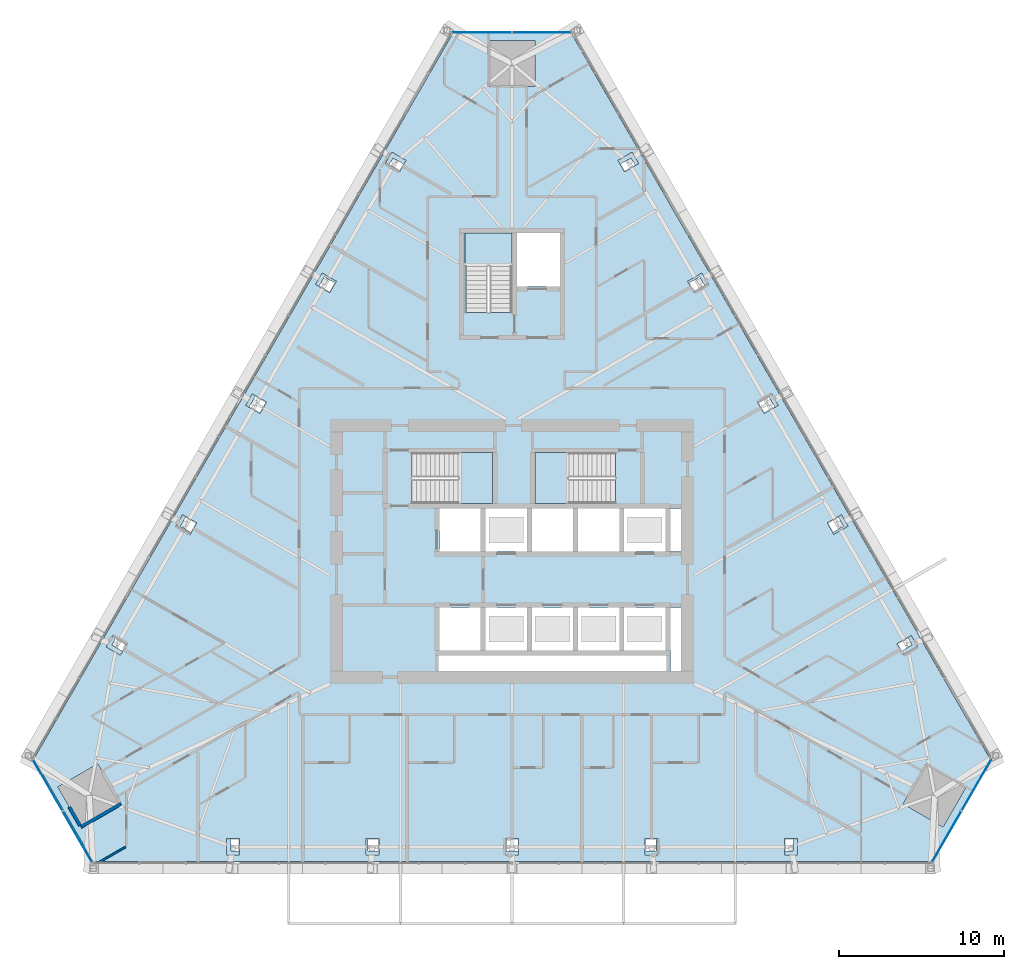
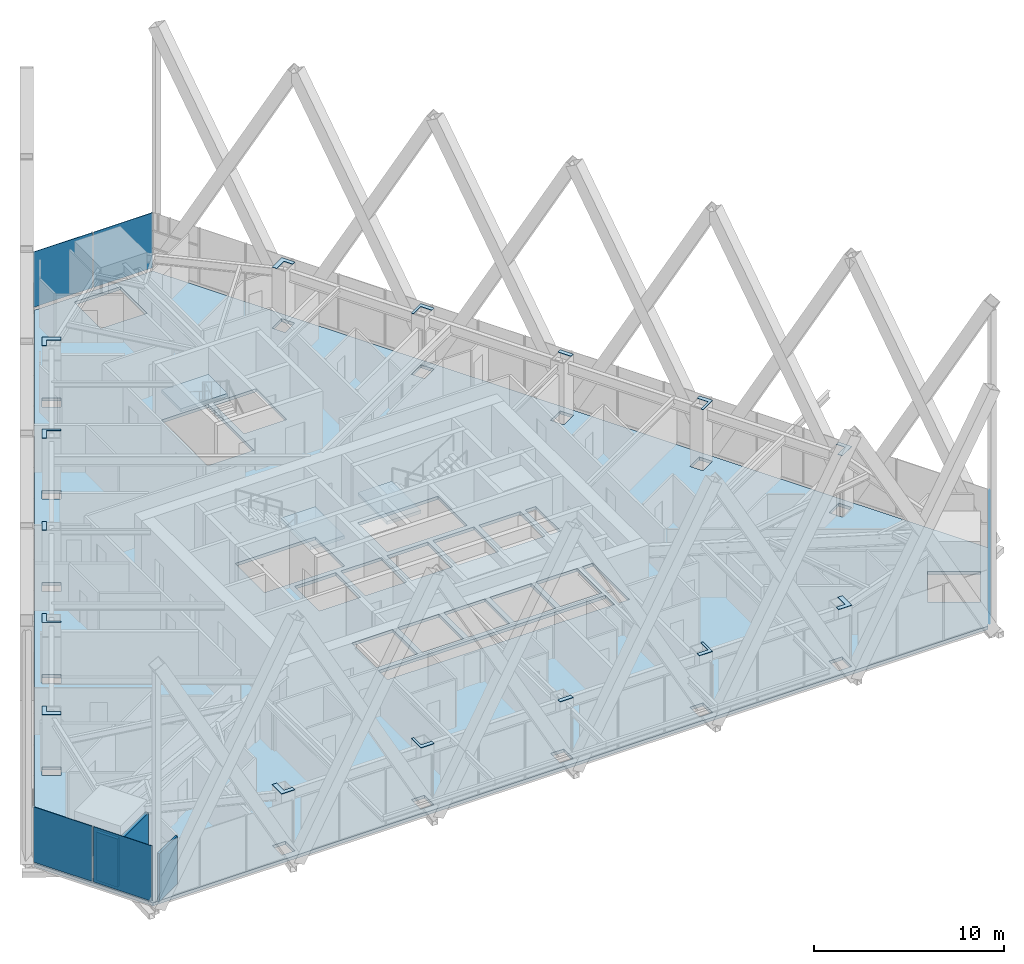
# One storey, part 11 of 19: 21 plates, 4 slabs, 3 walls, 6 elements without a shape of their own.
"""IFC4 building model written with IfcOpenShell, lengths in metres."""

from ifc_helpers import new_model, si_unit, direction, frame, frame_2d, origin, place, context, subcontext, project, spatial, polyline, rectangle, outline, extrude, material, layer, layer_set, type_object, element, aggregate, save


model = new_model("IFC4")

# Units and contexts
model_context = context("Model", 3, precision=1e-05, world=origin(), true_north=direction((0.0, 1.0)))
body_context = subcontext(model_context, "Body", "Model", "MODEL_VIEW")
ifc_project = project(units=[si_unit("LENGTHUNIT", "METRE"), si_unit("AREAUNIT", "SQUARE_METRE"), si_unit("VOLUMEUNIT", "CUBIC_METRE"), si_unit("PLANEANGLEUNIT", "RADIAN"), si_unit("MASSUNIT", "GRAM", prefix="KILO")], contexts=[model_context])

# Site, building, storey
site_placement = place(None, origin())
site = spatial("IfcSite", under=ifc_project, at=site_placement, CompositionType="ELEMENT")
building_placement = place(site_placement, origin())
building = spatial("IfcBuilding", under=site, at=building_placement, Name="Firuza Gate Tower and Library", CompositionType="ELEMENT")
storey_placement = place(building_placement, frame((0.0, 0.0, 218.199951171875)))
storey = spatial("IfcBuildingStorey", under=building, at=storey_placement, Name="L51", CompositionType="ELEMENT", Elevation=218.199951171875)

# Plates
ifc_material_1 = material(Name="Steel S355", Category="steel")
ifc_layer_1 = layer(ifc_material_1, 0.030029296875)
ifc_layer_set_1 = layer_set([ifc_layer_1], Name="Column infill plate 30 Steel S355")
plate_type_1 = type_object("IfcPlateType", Name="Column infill plate 30 Steel S355", PredefinedType="SHEET", material=ifc_layer_set_1)
placement_1 = place(storey_placement, frame((0.0, 0.0, 3.900146484375)))
element("IfcPlate", 1, at=placement_1, inside=storey, type_object=plate_type_1, Name="Infill plate L51:S1", PredefinedType="SHEET", context=body_context, shape_type="SweptSolid", body=[
    extrude(outline(polyline([(58.48876953125, 56.597412109375), (58.48876953125, 56.836669921875), (57.96484375, 56.836669921875), (57.96484375, 57.597412109375), (57.688720703125, 57.597412109375), (57.688720703125, 56.597412109375), (58.48876953125, 56.597412109375)])), origin(), (0.0, 0.0, 1.0), 0.02978515625),
])
element("IfcPlate", 2, at=placement_1, inside=storey, type_object=plate_type_1, Name="Infill plate L51:S2", PredefinedType="SHEET", context=body_context, shape_type="SweptSolid", body=[
    extrude(outline(polyline([(66.9443359375, 56.597412109375), (66.9443359375, 56.836669921875), (66.282470703125, 56.836669921875), (66.282470703125, 57.597412109375), (66.144287109375, 57.597412109375), (66.144287109375, 56.597412109375), (66.9443359375, 56.597412109375)])), origin(), (0.0, 0.0, 1.0), 0.02978515625),
])
element("IfcPlate", 3, at=placement_1, inside=storey, type_object=plate_type_1, Name="Infill plate L51:S3", PredefinedType="SHEET", context=body_context, shape_type="SweptSolid", body=[
    extrude(outline(polyline([(75.39990234375, 56.597412109375), (75.39990234375, 56.836669921875), (74.60009765625, 56.836669921875), (74.60009765625, 56.597412109375), (75.39990234375, 56.597412109375)])), origin(), (0.0, 0.0, 1.0), 0.02978515625),
])
element("IfcPlate", 4, at=placement_1, inside=storey, type_object=plate_type_1, Name="Infill plate L51:S4", PredefinedType="SHEET", context=body_context, shape_type="SweptSolid", body=[
    extrude(outline(polyline([(83.855712890625, 57.597412109375), (83.717529296875, 57.597412109375), (83.717529296875, 56.836669921875), (83.0556640625, 56.836669921875), (83.0556640625, 56.597412109375), (83.855712890625, 56.597412109375), (83.855712890625, 57.597412109375)])), origin(), (0.0, 0.0, 1.0), 0.02978515625),
])
element("IfcPlate", 5, at=placement_1, inside=storey, type_object=plate_type_1, Name="Infill plate L51:S5", PredefinedType="SHEET", context=body_context, shape_type="SweptSolid", body=[
    extrude(outline(polyline([(92.311279296875, 57.597412109375), (92.03515625, 57.597412109375), (92.03515625, 56.836669921875), (91.51123046875, 56.836669921875), (91.51123046875, 56.597412109375), (92.311279296875, 56.597412109375), (92.311279296875, 57.597412109375)])), origin(), (0.0, 0.0, 1.0), 0.02978515625),
])
element("IfcPlate", 6, at=placement_1, inside=storey, type_object=plate_type_1, Name="Infill plate L51:E1", PredefinedType="SHEET", context=body_context, shape_type="SweptSolid", body=[
    extrude(outline(polyline([(99.19287109375, 69.902099609375), (98.985595703125, 69.782470703125), (99.24755859375, 69.328857421875), (98.588623046875, 68.948486328125), (98.726806640625, 68.709228515625), (99.5927734375, 69.209228515625), (99.19287109375, 69.902099609375)])), origin(), (0.0, 0.0, 1.0), 0.02978515625),
])
element("IfcPlate", 7, at=placement_1, inside=storey, type_object=plate_type_1, Name="Infill plate L51:E2", PredefinedType="SHEET", context=body_context, shape_type="SweptSolid", body=[
    extrude(outline(polyline([(94.96484375, 77.224853515625), (94.7578125, 77.105224609375), (95.0888671875, 76.531982421875), (94.429931640625, 76.151611328125), (94.498779296875, 76.031982421875), (95.364990234375, 76.531982421875), (94.96484375, 77.224853515625)])), origin(), (0.0, 0.0, 1.0), 0.02978515625),
])
element("IfcPlate", 8, at=placement_1, inside=storey, type_object=plate_type_1, Name="Infill plate L51:E3", PredefinedType="SHEET", context=body_context, shape_type="SweptSolid", body=[
    extrude(outline(polyline([(89.87109375, 84.047607421875), (89.87109375, 84.047607421875), (90.530029296875, 84.42822265625), (90.929931640625, 83.7353515625), (91.13720703125, 83.85498046875), (90.737060546875, 84.547607421875), (89.87109375, 84.047607421875)])), origin(), (0.0, 0.0, 1.0), 0.02978515625),
])
element("IfcPlate", 9, at=placement_1, inside=storey, type_object=plate_type_1, Name="Infill plate L51:E4", PredefinedType="SHEET", context=body_context, shape_type="SweptSolid", body=[
    extrude(outline(polyline([(85.643310546875, 91.37060546875), (85.712158203125, 91.2509765625), (86.37109375, 91.63134765625), (86.7021484375, 91.05810546875), (86.9091796875, 91.177734375), (86.50927734375, 91.87060546875), (85.643310546875, 91.37060546875)])), origin(), (0.0, 0.0, 1.0), 0.02978515625),
])
element("IfcPlate", 10, at=placement_1, inside=storey, type_object=plate_type_1, Name="Infill plate L51:E5", PredefinedType="SHEET", context=body_context, shape_type="SweptSolid", body=[
    extrude(outline(polyline([(81.415283203125, 98.693359375), (81.553466796875, 98.4541015625), (82.21240234375, 98.834716796875), (82.474365234375, 98.380859375), (82.681396484375, 98.50048828125), (82.281494140625, 99.193359375), (81.415283203125, 98.693359375)])), origin(), (0.0, 0.0, 1.0), 0.02978515625),
])
element("IfcPlate", 11, at=placement_1, inside=storey, type_object=plate_type_1, Name="Infill plate L51:W1", PredefinedType="SHEET", context=body_context, shape_type="SweptSolid", body=[
    extrude(outline(polyline([(67.318603515625, 98.50048828125), (67.525634765625, 98.380859375), (67.78759765625, 98.834716796875), (68.446533203125, 98.4541015625), (68.584716796875, 98.693359375), (67.718505859375, 99.193359375), (67.318603515625, 98.50048828125)])), origin(), (0.0, 0.0, 1.0), 0.02978515625),
])
element("IfcPlate", 12, at=placement_1, inside=storey, type_object=plate_type_1, Name="Infill plate L51:W2", PredefinedType="SHEET", context=body_context, shape_type="SweptSolid", body=[
    extrude(outline(polyline([(63.0908203125, 91.177734375), (63.2978515625, 91.05810546875), (63.62890625, 91.63134765625), (64.287841796875, 91.2509765625), (64.356689453125, 91.37060546875), (63.49072265625, 91.87060546875), (63.0908203125, 91.177734375)])), origin(), (0.0, 0.0, 1.0), 0.02978515625),
])
element("IfcPlate", 13, at=placement_1, inside=storey, type_object=plate_type_1, Name="Infill plate L51:W3", PredefinedType="SHEET", context=body_context, shape_type="SweptSolid", body=[
    extrude(outline(polyline([(58.86279296875, 83.85498046875), (59.070068359375, 83.7353515625), (59.469970703125, 84.42822265625), (60.12890625, 84.047607421875), (60.12890625, 84.047607421875), (59.262939453125, 84.547607421875), (58.86279296875, 83.85498046875)])), origin(), (0.0, 0.0, 1.0), 0.02978515625),
])
element("IfcPlate", 14, at=placement_1, inside=storey, type_object=plate_type_1, Name="Infill plate L51:W4", PredefinedType="SHEET", context=body_context, shape_type="SweptSolid", body=[
    extrude(outline(polyline([(55.501220703125, 76.031982421875), (55.570068359375, 76.151611328125), (54.9111328125, 76.531982421875), (55.2421875, 77.105224609375), (55.03515625, 77.224853515625), (54.635009765625, 76.531982421875), (55.501220703125, 76.031982421875)])), origin(), (0.0, 0.0, 1.0), 0.02978515625),
])
element("IfcPlate", 15, at=placement_1, inside=storey, type_object=plate_type_1, Name="Infill plate L51:W5", PredefinedType="SHEET", context=body_context, shape_type="SweptSolid", body=[
    extrude(outline(polyline([(51.273193359375, 68.709228515625), (51.411376953125, 68.948486328125), (50.75244140625, 69.328857421875), (51.014404296875, 69.782470703125), (50.80712890625, 69.902099609375), (50.4072265625, 69.209228515625), (51.273193359375, 68.709228515625)])), origin(), (0.0, 0.0, 1.0), 0.02978515625),
])

# Slab
ifc_material_2 = material(Name="Concrete C40/50", Category="concrete")
ifc_layer_2 = layer(ifc_material_2, 0.199951171875)
ifc_layer_set_2 = layer_set([ifc_layer_2], Name="Composite floor slab 200 C40/50")
slab_type_1 = type_object("IfcSlabType", Name="Composite floor slab 200 C40/50", PredefinedType="FLOOR", material=ifc_layer_set_2)
slab_1_placement = place(storey_placement, frame((0.0, 0.0, -0.199951171875)))
element("IfcSlab", 16, at=slab_1_placement, inside=storey, type_object=slab_type_1, Name="Floor slab L51", PredefinedType="FLOOR", context=body_context, shape_type="SweptSolid", body=[
    extrude(outline(polyline([(46.032958984375, 62.432861328125), (49.633056640625, 56.197509765625), (100.366943359375, 56.197509765625), (103.967041015625, 62.432861328125), (78.60009765625, 106.36962890625), (71.39990234375, 106.36962890625), (46.032958984375, 62.432861328125)]), holes=[polyline([(57.688720703125, 56.597412109375), (57.688720703125, 57.597412109375), (58.48876953125, 57.597412109375), (58.48876953125, 56.597412109375), (57.688720703125, 56.597412109375)]), polyline([(74.60009765625, 56.597412109375), (74.60009765625, 57.597412109375), (75.39990234375, 57.597412109375), (75.39990234375, 56.597412109375), (74.60009765625, 56.597412109375)]), polyline([(66.144287109375, 56.597412109375), (66.144287109375, 57.597412109375), (66.9443359375, 57.597412109375), (66.9443359375, 56.597412109375), (66.144287109375, 56.597412109375)]), polyline([(47.4794921875, 60.7275390625), (49.904296875, 62.127685546875), (51.30419921875, 59.70263671875), (48.87939453125, 58.302734375), (47.4794921875, 60.7275390625)]), polyline([(84.35009765625, 67.75), (70.550048828125, 67.75), (70.550048828125, 68.699951171875), (84.35009765625, 68.699951171875), (84.35009765625, 67.75)]), polyline([(50.80712890625, 69.902099609375), (51.67333984375, 69.402099609375), (51.273193359375, 68.709228515625), (50.4072265625, 69.209228515625), (50.80712890625, 69.902099609375)]), polyline([(73.10009765625, 69.0), (70.60009765625, 69.0), (70.60009765625, 71.60009765625), (73.10009765625, 71.60009765625), (73.10009765625, 69.0)]), polyline([(75.89990234375, 69.0), (73.39990234375, 69.0), (73.39990234375, 71.60009765625), (75.89990234375, 71.60009765625), (75.89990234375, 69.0)]), polyline([(73.10009765625, 75.0), (70.60009765625, 75.0), (70.60009765625, 77.60009765625), (73.10009765625, 77.60009765625), (73.10009765625, 75.0)]), polyline([(75.89990234375, 75.0), (73.39990234375, 75.0), (73.39990234375, 77.60009765625), (75.89990234375, 77.60009765625), (75.89990234375, 75.0)]), polyline([(55.03515625, 77.224853515625), (55.901123046875, 76.724853515625), (55.501220703125, 76.031982421875), (54.635009765625, 76.531982421875), (55.03515625, 77.224853515625)]), polyline([(73.81005859375, 77.89990234375), (68.9404296875, 77.89990234375), (68.9404296875, 80.97998046875), (73.81005859375, 80.97998046875), (73.81005859375, 77.89990234375)]), polyline([(59.262939453125, 84.547607421875), (60.12890625, 84.047607421875), (59.72900390625, 83.35498046875), (58.86279296875, 83.85498046875), (59.262939453125, 84.547607421875)]), polyline([(63.49072265625, 91.87060546875), (64.356689453125, 91.37060546875), (63.956787109375, 90.677734375), (63.0908203125, 91.177734375), (63.49072265625, 91.87060546875)]), polyline([(72.159912109375, 89.470458984375), (72.159912109375, 94.300048828125), (75.0, 94.300048828125), (75.0, 89.470458984375), (72.159912109375, 89.470458984375)]), polyline([(75.300048828125, 91.050048828125), (75.300048828125, 94.300048828125), (77.89990234375, 94.300048828125), (77.89990234375, 91.050048828125), (75.300048828125, 91.050048828125)]), polyline([(68.584716796875, 98.693359375), (68.1845703125, 98.00048828125), (67.318603515625, 98.50048828125), (67.718505859375, 99.193359375), (68.584716796875, 98.693359375)]), polyline([(76.39990234375, 105.9697265625), (76.39990234375, 103.169677734375), (73.60009765625, 103.169677734375), (73.60009765625, 105.9697265625), (76.39990234375, 105.9697265625)]), polyline([(91.51123046875, 56.597412109375), (91.51123046875, 57.597412109375), (92.311279296875, 57.597412109375), (92.311279296875, 56.597412109375), (91.51123046875, 56.597412109375)]), polyline([(83.0556640625, 56.597412109375), (83.0556640625, 57.597412109375), (83.855712890625, 57.597412109375), (83.855712890625, 56.597412109375), (83.0556640625, 56.597412109375)]), polyline([(101.12060546875, 58.302734375), (98.69580078125, 59.70263671875), (100.095703125, 62.127685546875), (102.5205078125, 60.7275390625), (101.12060546875, 58.302734375)]), polyline([(99.5927734375, 69.209228515625), (98.726806640625, 68.709228515625), (98.32666015625, 69.402099609375), (99.19287109375, 69.902099609375), (99.5927734375, 69.209228515625)]), polyline([(85.25, 67.75), (84.60009765625, 67.75), (84.60009765625, 71.60009765625), (85.25, 71.60009765625), (85.25, 67.75)]), polyline([(81.5, 69.0), (79.0, 69.0), (79.0, 71.60009765625), (81.5, 71.60009765625), (81.5, 69.0)]), polyline([(81.800048828125, 69.0), (81.800048828125, 71.60009765625), (84.300048828125, 71.60009765625), (84.300048828125, 69.0), (81.800048828125, 69.0)]), polyline([(76.199951171875, 69.0), (76.199951171875, 71.60009765625), (78.699951171875, 71.60009765625), (78.699951171875, 69.0), (76.199951171875, 69.0)]), polyline([(81.5, 75.0), (79.0, 75.0), (79.0, 77.60009765625), (81.5, 77.60009765625), (81.5, 75.0)]), polyline([(84.300048828125, 75.0), (81.800048828125, 75.0), (81.800048828125, 77.60009765625), (84.300048828125, 77.60009765625), (84.300048828125, 75.0)]), polyline([(85.25, 75.0), (84.60009765625, 75.0), (84.60009765625, 77.60009765625), (85.25, 77.60009765625), (85.25, 75.0)]), polyline([(78.699951171875, 75.0), (76.199951171875, 75.0), (76.199951171875, 77.60009765625), (78.699951171875, 77.60009765625), (78.699951171875, 75.0)]), polyline([(95.364990234375, 76.531982421875), (94.498779296875, 76.031982421875), (94.098876953125, 76.724853515625), (94.96484375, 77.224853515625), (95.364990234375, 76.531982421875)]), polyline([(81.259521484375, 77.89990234375), (76.389892578125, 77.89990234375), (76.389892578125, 80.97998046875), (81.259521484375, 80.97998046875), (81.259521484375, 77.89990234375)]), polyline([(91.13720703125, 83.85498046875), (90.27099609375, 83.35498046875), (89.87109375, 84.047607421875), (90.737060546875, 84.547607421875), (91.13720703125, 83.85498046875)]), polyline([(86.043212890625, 90.677734375), (85.643310546875, 91.37060546875), (86.50927734375, 91.87060546875), (86.9091796875, 91.177734375), (86.043212890625, 90.677734375)]), polyline([(81.8154296875, 98.00048828125), (81.415283203125, 98.693359375), (82.281494140625, 99.193359375), (82.681396484375, 98.50048828125), (81.8154296875, 98.00048828125)])]), origin(), (0.0, 0.0, 1.0), 0.199951171875),
])

# Curtain wall, plates
ifc_material_3 = material(Name="Aluminium 6063-T6", Category="aluminium")
ifc_layer_3 = layer(ifc_material_3, 0.14990234375)
ifc_layer_set_3 = layer_set([ifc_layer_3], Name="Corner curtain wall, chamfers")
curtain_wall_type = type_object("IfcCurtainWallType", Name="Corner curtain wall, chamfers", PredefinedType="NOTDEFINED", material=ifc_layer_set_3)
placement_2 = place(storey_placement, origin())
curtain_wall_1 = element("IfcCurtainWall", 17, at=placement_2, inside=storey, type_object=curtain_wall_type, Name="CW4 L51 SE corner", PredefinedType="NOTDEFINED")
ifc_material_4 = material(Name="Fritted glass", Category="glass")
ifc_layer_4 = layer(ifc_material_4, 0.030029296875)
ifc_layer_set_4 = layer_set([ifc_layer_4], Name="Fritted glass unit, corners")
plate_type_2 = type_object("IfcPlateType", Name="Fritted glass unit, corners", PredefinedType="CURTAIN_PANEL", material=ifc_layer_set_4)
plate_16_placement = place(storey_placement, frame((100.443359375, 56.149658203125, 0.150146484375), z_axis=(0.866046390552, -0.49996364809, 0.0), x_axis=(0.49996364809, 0.866046390552, 0.0)))
plate_16 = element("IfcPlate", 18, at=plate_16_placement, type_object=plate_type_2, Name="Glass unit", PredefinedType="CURTAIN_PANEL", context=body_context, shape_type="SweptSolid", body=[
    extrude(outline(polyline([(0.0, 0.0), (3.563247342942594, 0.0), (3.563247342942594, 3.5498046875), (0.0, 3.5498046875), (0.0, 0.0)])), origin(), (0.0, 0.0, -1.0), 0.030029296875),
])
plate_17_placement = place(storey_placement, frame((102.264892578125, 59.3046875, 0.150146484375), z_axis=(0.866016723041, -0.500015035186, 0.0), x_axis=(0.500015035186, 0.866016723041, 0.0)))
plate_17 = element("IfcPlate", 19, at=plate_17_placement, type_object=plate_type_2, Name="Glass unit", PredefinedType="CURTAIN_PANEL", context=body_context, shape_type="SweptSolid", body=[
    extrude(outline(polyline([(0.0, 0.0), (3.5633694106530625, 0.0), (3.5633694106530625, 3.5498046875), (0.0, 3.5498046875), (0.0, 0.0)])), origin(), (0.0, 0.0, -1.0), 0.030029296875),
])
aggregate(curtain_wall_1, [plate_16, plate_17])

curtain_wall_2 = element("IfcCurtainWall", 20, at=placement_2, inside=storey, type_object=curtain_wall_type, Name="CW4 L51 N corner", PredefinedType="NOTDEFINED")
plate_18_placement = place(storey_placement, frame((78.603271484375, 106.459716796875, 0.150146484375), z_axis=(0.0, 1.0, 0.0), x_axis=(-1.0, 0.0, 0.0)))
plate_18 = element("IfcPlate", 21, at=plate_18_placement, type_object=plate_type_2, Name="Glass unit", PredefinedType="CURTAIN_PANEL", context=body_context, shape_type="SweptSolid", body=[
    extrude(outline(polyline([(0.0, 0.0), (3.563232421875, 0.0), (3.563232421875, 3.5498046875), (0.0, 3.5498046875), (0.0, 0.0)])), origin(), (0.0, 0.0, -1.0), 0.030029296875),
])
plate_19_placement = place(storey_placement, frame((74.9599609375, 106.459716796875, 0.150146484375), z_axis=(0.0, 1.0, 0.0), x_axis=(-1.0, 0.0, 0.0)))
plate_19 = element("IfcPlate", 22, at=plate_19_placement, type_object=plate_type_2, Name="Glass unit", PredefinedType="CURTAIN_PANEL", context=body_context, shape_type="SweptSolid", body=[
    extrude(outline(polyline([(0.0, 0.0), (3.563232421875, 0.0), (3.563232421875, 3.5498046875), (0.0, 3.5498046875), (0.0, 0.0)])), origin(), (0.0, 0.0, -1.0), 0.030029296875),
])
aggregate(curtain_wall_2, [plate_18, plate_19])

curtain_wall_3 = element("IfcCurtainWall", 23, at=placement_2, inside=storey, type_object=curtain_wall_type, Name="CW4 L51 SW corner", PredefinedType="NOTDEFINED")
plate_20_placement = place(storey_placement, frame((45.953369140625, 62.390625, 0.150146484375), z_axis=(-0.866016723041, -0.500015035186, 0.0), x_axis=(0.500015035186, -0.866016723041, 0.0)))
plate_20 = element("IfcPlate", 24, at=plate_20_placement, type_object=plate_type_2, Name="Glass unit", PredefinedType="CURTAIN_PANEL", context=body_context, shape_type="SweptSolid", body=[
    extrude(outline(polyline([(0.0, 0.0), (3.5633694106530625, 0.0), (3.5633694106530625, 3.5498046875), (0.0, 3.5498046875), (0.0, 0.0)])), origin(), (0.0, 0.0, -1.0), 0.030029296875),
])
plate_21_placement = place(storey_placement, frame((47.775146484375, 59.235595703125, 0.150146484375), z_axis=(-0.866046390552, -0.49996364809, 0.0), x_axis=(0.49996364809, -0.866046390552, 0.0)))
plate_21 = element("IfcPlate", 25, at=plate_21_placement, type_object=plate_type_2, Name="Glass unit", PredefinedType="CURTAIN_PANEL", context=body_context, shape_type="SweptSolid", body=[
    extrude(outline(polyline([(0.0, 0.0), (3.563247342942594, 0.0), (3.563247342942594, 3.5498046875), (0.0, 3.5498046875), (0.0, 0.0)])), origin(), (0.0, 0.0, -1.0), 0.030029296875),
])
aggregate(curtain_wall_3, [plate_20, plate_21])

# Stair, slab
ifc_material_5 = material(Name="Concrete C35/45", Category="concrete")
stair_type_1 = type_object("IfcStairType", Name="Exit stair ST7", PredefinedType="HALF_TURN_STAIR", material=ifc_material_5)
stair_1 = element("IfcStair", 26, at=placement_2, inside=storey, type_object=stair_type_1, Name="L51 Stair ST1", PredefinedType="HALF_TURN_STAIR")
ifc_material_6 = material(Name="Concrete C35/45", Category="concrete")
ifc_layer_5 = layer(ifc_material_6, 0.199951171875)
ifc_layer_set_5 = layer_set([ifc_layer_5], Name="Stair landing 200")
slab_type_2 = type_object("IfcSlabType", Name="Stair landing 200", PredefinedType="LANDING", material=ifc_layer_set_5)
placement_3 = place(storey_placement, frame((0.0, 0.0, 1.75)))
slab_2 = element("IfcSlab", 27, at=placement_3, type_object=slab_type_2, Name="ST1 landing 1", PredefinedType="LANDING", context=body_context, shape_type="SweptSolid", body=[
    extrude(outline(polyline([(71.739990234375, 77.89990234375), (73.81005859375, 77.89990234375), (73.81005859375, 80.97998046875), (71.739990234375, 80.97998046875), (71.739990234375, 77.89990234375)])), origin(), (0.0, 0.0, 1.0), 0.199951171875),
])
aggregate(stair_1, [slab_2])

stair_2 = element("IfcStair", 28, at=placement_2, inside=storey, type_object=stair_type_1, Name="L51 Stair ST2", PredefinedType="HALF_TURN_STAIR")
slab_3 = element("IfcSlab", 29, at=placement_3, type_object=slab_type_2, Name="ST2 landing 1", PredefinedType="LANDING", context=body_context, shape_type="SweptSolid", body=[
    extrude(outline(polyline([(78.4599609375, 80.97998046875), (76.389892578125, 80.97998046875), (76.389892578125, 77.89990234375), (78.4599609375, 77.89990234375), (78.4599609375, 80.97998046875)])), origin(), (0.0, 0.0, 1.0), 0.199951171875),
])
aggregate(stair_2, [slab_3])

ifc_material_7 = material(Name="Concrete C35/45", Category="concrete")
stair_type_2 = type_object("IfcStairType", Name="Exit stair ST16", PredefinedType="HALF_TURN_STAIR", material=ifc_material_7)
stair_3 = element("IfcStair", 30, at=placement_2, inside=storey, type_object=stair_type_2, Name="L51 Stair ST3", PredefinedType="HALF_TURN_STAIR")
slab_4 = element("IfcSlab", 31, at=placement_3, type_object=slab_type_2, Name="ST3 landing 1", PredefinedType="LANDING", context=body_context, shape_type="SweptSolid", body=[
    extrude(outline(polyline([(75.0, 92.27001953125), (75.0, 94.300048828125), (72.159912109375, 94.300048828125), (72.159912109375, 92.27001953125), (75.0, 92.27001953125)])), origin(), (0.0, 0.0, 1.0), 0.199951171875),
])
aggregate(stair_3, [slab_4])

# Walls
ifc_material_8 = material(Name="Gypsum board partition")
ifc_layer_6 = layer(ifc_material_8, 0.199951171875)
ifc_layer_set_6 = layer_set([ifc_layer_6], Name="Demising wall 200 acoustic double stud")
wall_type_1 = type_object("IfcWallType", Name="Demising wall 200 acoustic double stud", PredefinedType="PARTITIONING", material=ifc_layer_set_6)
wall_1_placement = place(storey_placement, frame((48.8798828125, 58.302978515625, 0.0), z_axis=(0.0, 0.0, 1.0), x_axis=(0.865985118016, 0.500069770506, 0.0)))
element("IfcWall", 32, at=wall_1_placement, inside=storey, type_object=wall_type_1, Name="f:L51:w028", PredefinedType="PARTITIONING", context=body_context, shape_type="SweptSolid", body=[
    extrude(rectangle(XDim=2.798828125, YDim=0.199951171875, at=frame_2d((1.3994140625, 0.0))), origin(), (0.0, 0.0, 1.0), 3.10009765625),
])
wall_2_placement = place(storey_placement, frame((48.8291015625, 58.3896484375, 0.0), z_axis=(0.0, 0.0, 1.0), x_axis=(-0.500080332001, 0.865979019114, 0.0)))
element("IfcWall", 33, at=wall_2_placement, inside=storey, type_object=wall_type_1, Name="f:L51:w093", PredefinedType="PARTITIONING", context=body_context, shape_type="SweptSolid", body=[
    extrude(rectangle(XDim=1.299072265625, YDim=0.199951171875, at=frame_2d((0.6494140625, 0.0))), origin(), (0.0, 0.0, 1.0), 3.10009765625),
])
ifc_material_9 = material(Name="Gypsum board partition")
ifc_layer_7 = layer(ifc_material_9, 0.1201171875)
ifc_layer_set_7 = layer_set([ifc_layer_7], Name="Wet-area partition 120 moisture-resistant board")
wall_type_2 = type_object("IfcWallType", Name="Wet-area partition 120 moisture-resistant board", PredefinedType="PARTITIONING", material=ifc_layer_set_7)
wall_3_placement = place(storey_placement, frame((49.928955078125, 56.137451171875, 0.0), z_axis=(0.0, 0.0, 1.0), x_axis=(0.86599573884, 0.500051377671, 0.0)))
element("IfcWall", 34, at=wall_3_placement, inside=storey, type_object=wall_type_2, Name="f:L51:w025", PredefinedType="PARTITIONING", context=body_context, shape_type="SweptSolid", body=[
    extrude(rectangle(XDim=1.906005859375, YDim=0.1201171875, at=frame_2d((0.953125, 0.0))), origin(), (0.0, 0.0, 1.0), 3.10009765625),
])

save(model, "model.ifc")
